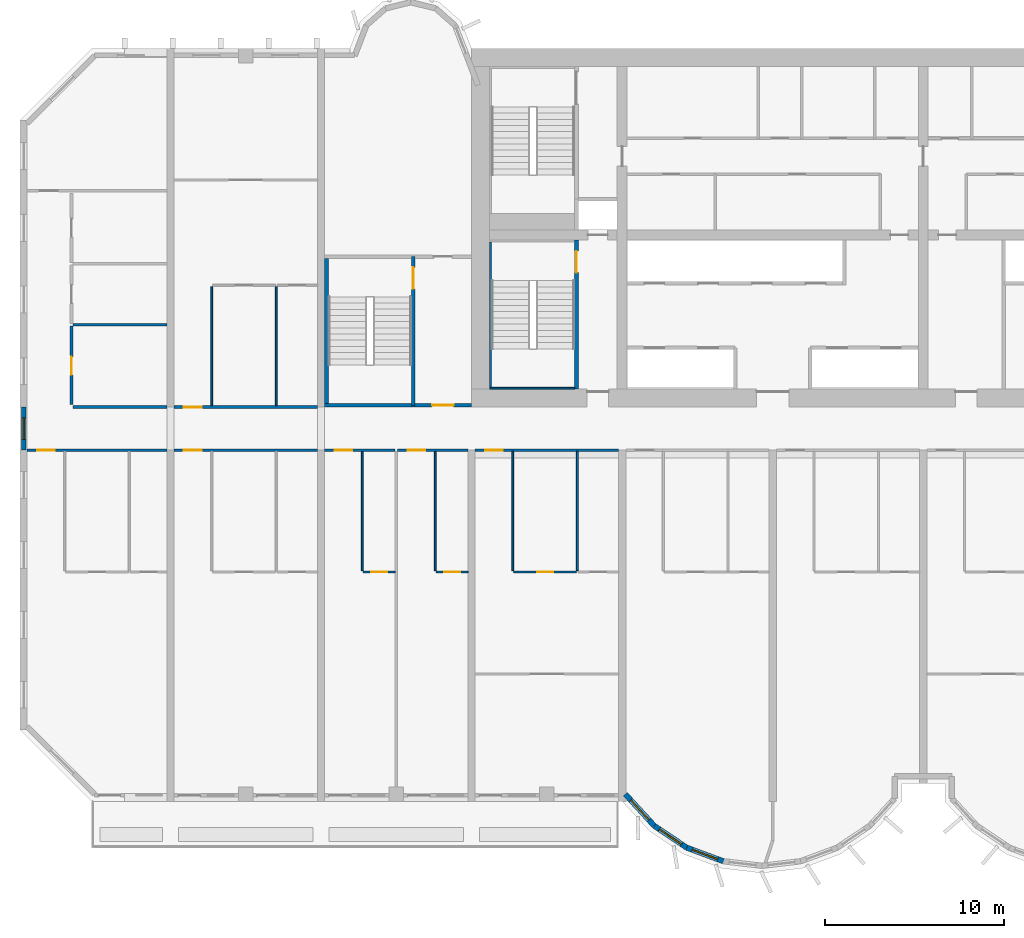
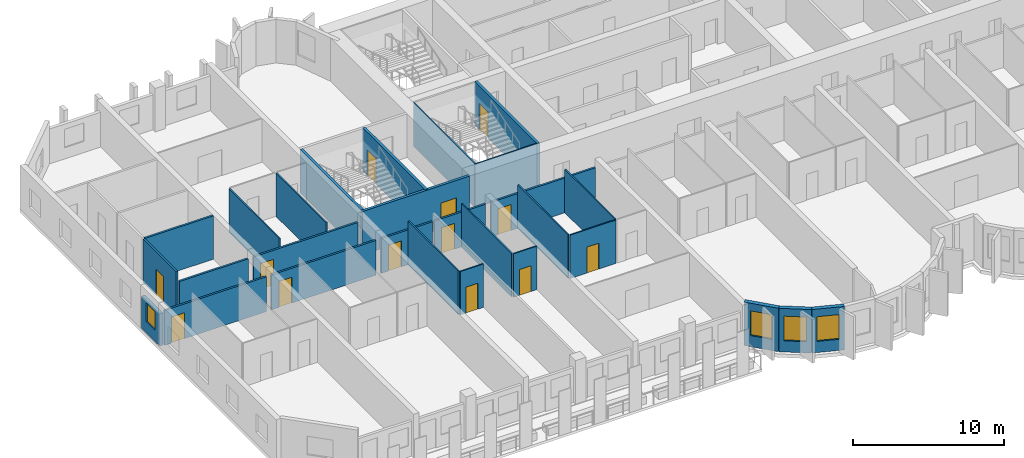
# One storey, part 3 of 15: 28 walls, 13 doors, 4 windows, 17 openings.
"""IFC4 building model written with IfcOpenShell, lengths in metres."""

from ifc_helpers import new_model, si_unit, direction, frame, frame_2d, origin, place, context, subcontext, project, spatial, rectangle, extrude, source, transform, mapped, material, layer, layer_set, type_object, element, fill, save


model = new_model("IFC4")

# Units and contexts
model_context = context("Model", 3, precision=1e-05, world=origin(), true_north=direction((0.0, 1.0)))
body_context = subcontext(model_context, "Body", "Model", "MODEL_VIEW")
ifc_project = project(units=[si_unit("LENGTHUNIT", "METRE"), si_unit("AREAUNIT", "SQUARE_METRE"), si_unit("VOLUMEUNIT", "CUBIC_METRE"), si_unit("PLANEANGLEUNIT", "RADIAN"), si_unit("MASSUNIT", "GRAM", prefix="KILO")], contexts=[model_context])

# Site, building, storey
site_placement = place(None, origin())
site = spatial("IfcSite", under=ifc_project, at=site_placement, CompositionType="ELEMENT")
building_placement = place(site_placement, origin())
building = spatial("IfcBuilding", under=site, at=building_placement, Name="Vanashikhar Sky Hotel", CompositionType="ELEMENT")
storey_placement = place(building_placement, frame((0.0, 0.0, 62.0)))
storey = spatial("IfcBuildingStorey", under=building, at=storey_placement, Name="L14", CompositionType="ELEMENT", Elevation=62.0)

# Wall, opening, window
ifc_material_1 = material(Name="Concrete M50", Category="concrete")
ifc_layer_1 = layer(ifc_material_1, 0.300048828125)
ifc_layer_set_1 = layer_set([ifc_layer_1], Name="Lobe wall 300")
wall_type_1 = type_object("IfcWallType", Name="Lobe wall 300", PredefinedType="SOLIDWALL", material=ifc_layer_set_1)
shared_shape_1 = source(origin(), body_context, "Body", "SweptSolid", [
    extrude(rectangle(XDim=2.398193359375, YDim=0.300048828125, at=frame_2d((1.19921875, 0.0))), origin(), (0.0, 0.0, 1.0), 3.52001953125),
])
wall_1_placement = place(storey_placement, frame((33.776123046875, 0.39990234375, 0.0), z_axis=(0.0, 0.0, 1.0), x_axis=(0.675374189419, -0.737475222815, 0.0)))
wall_1 = element("IfcWall", 1, at=wall_1_placement, inside=storey, type_object=wall_type_1, Name="Lobe wall", PredefinedType="SOLIDWALL", context=body_context, shape_type="MappedRepresentation", body=[
    mapped(shared_shape_1, transform((0.0, 0.0, 0.0), scale=1.0)),
])
shared_shape_2 = source(origin(), body_context, "Body", "SweptSolid", [
    extrude(rectangle(XDim=1.5, YDim=2.0, at=frame_2d((0.75, 1.0))), frame((0.0, 0.16015625, 0.0), z_axis=(0.0, -1.0, 0.0), x_axis=(1.0, 0.0, 0.0)), (0.0, 0.0, 1.0), 0.320068359375),
])
opening_1_placement = place(wall_1_placement, frame((0.44921875, 0.0, 0.89990234375)))
opening_1 = element("IfcOpeningElement", 2, at=opening_1_placement, cuts=wall_1, Name="Opening WN-2", PredefinedType="OPENING", context=body_context, shape_type="MappedRepresentation", body=[
    mapped(shared_shape_2, transform((0.0, 0.0, 0.0), scale=1.0)),
])
ifc_material_2 = material(Name="Glass", Category="glass")
window_type_1 = type_object("IfcWindowType", Name="Lobe window 1500 x 2000", PartitioningType="SINGLE_PANEL", PredefinedType="WINDOW", material=ifc_material_2)
shared_shape_3 = source(origin(), body_context, "Body", "SweptSolid", [
    extrude(rectangle(XDim=1.5, YDim=2.0, at=frame_2d((0.75, 1.0))), frame((0.0, 0.030029296875, 0.0), z_axis=(0.0, -1.0, 0.0), x_axis=(1.0, 0.0, 0.0)), (0.0, 0.0, 1.0), 0.06005859375),
])
window_1_placement = place(opening_1_placement, origin())
window_1 = element("IfcWindow", 3, at=window_1_placement, inside=storey, type_object=window_type_1, Name="Window WN-2", OverallHeight=2.0, OverallWidth=1.5, PartitioningType="SINGLE_PANEL", PredefinedType="WINDOW", context=body_context, shape_type="MappedRepresentation", body=[
    mapped(shared_shape_3, transform((0.0, 0.0, 0.0), scale=1.0)),
])
fill(opening_1, window_1)

shared_shape_4 = source(origin(), body_context, "Body", "SweptSolid", [
    extrude(rectangle(XDim=2.17578125, YDim=0.300048828125, at=frame_2d((1.087890625, 0.0))), origin(), (0.0, 0.0, 1.0), 3.52001953125),
])
wall_2_placement = place(storey_placement, frame((35.395751953125, -1.36865234375, 0.0), z_axis=(0.0, 0.0, 1.0), x_axis=(0.829590746428, -0.558371913192, 0.0)))
wall_2 = element("IfcWall", 4, at=wall_2_placement, inside=storey, type_object=wall_type_1, Name="Lobe wall", PredefinedType="SOLIDWALL", context=body_context, shape_type="MappedRepresentation", body=[
    mapped(shared_shape_4, transform((0.0, 0.0, 0.0), scale=1.0)),
])
opening_2_placement = place(wall_2_placement, frame((0.337890625, 0.0, 0.89990234375)))
opening_2 = element("IfcOpeningElement", 5, at=opening_2_placement, cuts=wall_2, Name="Opening WN-2", PredefinedType="OPENING", context=body_context, shape_type="MappedRepresentation", body=[
    mapped(shared_shape_2, transform((0.0, 0.0, 0.0), scale=1.0)),
])
window_2_placement = place(opening_2_placement, origin())
window_2 = element("IfcWindow", 6, at=window_2_placement, inside=storey, type_object=window_type_1, Name="Window WN-2", OverallHeight=2.0, OverallWidth=1.5, PartitioningType="SINGLE_PANEL", PredefinedType="WINDOW", context=body_context, shape_type="MappedRepresentation", body=[
    mapped(shared_shape_3, transform((0.0, 0.0, 0.0), scale=1.0)),
])
fill(opening_2, window_2)

wall_3_placement = place(storey_placement, frame((37.20068359375, -2.58349609375, 0.0), z_axis=(0.0, 0.0, 1.0), x_axis=(0.93754555999, -0.347862505801, 0.0)))
wall_3 = element("IfcWall", 7, at=wall_3_placement, inside=storey, type_object=wall_type_1, Name="Lobe wall", PredefinedType="SOLIDWALL", context=body_context, shape_type="MappedRepresentation", body=[
    mapped(shared_shape_4, transform((0.0, 0.0, 0.0), scale=1.0)),
])
opening_3_placement = place(wall_3_placement, frame((0.337890625, 0.0, 0.89990234375)))
opening_3 = element("IfcOpeningElement", 8, at=opening_3_placement, cuts=wall_3, Name="Opening WN-2", PredefinedType="OPENING", context=body_context, shape_type="MappedRepresentation", body=[
    mapped(shared_shape_2, transform((0.0, 0.0, 0.0), scale=1.0)),
])
window_3_placement = place(opening_3_placement, origin())
window_3 = element("IfcWindow", 9, at=window_3_placement, inside=storey, type_object=window_type_1, Name="Window WN-2", OverallHeight=2.0, OverallWidth=1.5, PartitioningType="SINGLE_PANEL", PredefinedType="WINDOW", context=body_context, shape_type="MappedRepresentation", body=[
    mapped(shared_shape_3, transform((0.0, 0.0, 0.0), scale=1.0)),
])
fill(opening_3, window_3)

ifc_layer_2 = layer(ifc_material_1, 0.25)
ifc_layer_set_2 = layer_set([ifc_layer_2], Name="Rear and end board-marked wall 250")
wall_type_2 = type_object("IfcWallType", Name="Rear and end board-marked wall 250", PredefinedType="SOLIDWALL", material=ifc_layer_set_2)
shared_shape_5 = source(origin(), body_context, "Body", "SweptSolid", [
    extrude(rectangle(XDim=2.39990234375, YDim=0.25, at=frame_2d((1.199951171875, 0.0))), origin(), (0.0, 0.0, 1.0), 2.6201171875),
])
wall_4_placement = place(storey_placement, frame((0.199951171875, 19.60009765625, 0.0), z_axis=(0.0, 0.0, 1.0), x_axis=(0.0, 1.0, 0.0)))
wall_4 = element("IfcWall", 10, at=wall_4_placement, inside=storey, type_object=wall_type_2, Name="End corridor infill wall", PredefinedType="SOLIDWALL", context=body_context, shape_type="MappedRepresentation", body=[
    mapped(shared_shape_5, transform((0.0, 0.0, 0.0), scale=1.0)),
])
shared_shape_6 = source(origin(), body_context, "Body", "SweptSolid", [
    extrude(rectangle(XDim=1.199951171875, YDim=1.5, at=frame_2d((0.60009765625, 0.75))), frame((0.0, 0.135009765625, 0.0), z_axis=(0.0, -1.0, 0.0), x_axis=(1.0, 0.0, 0.0)), (0.0, 0.0, 1.0), 0.27001953125),
])
opening_4_placement = place(wall_4_placement, frame((0.60009765625, 0.0, 0.89990234375)))
opening_4 = element("IfcOpeningElement", 11, at=opening_4_placement, cuts=wall_4, Name="Opening WN-3", PredefinedType="OPENING", context=body_context, shape_type="MappedRepresentation", body=[
    mapped(shared_shape_6, transform((0.0, 0.0, 0.0), scale=1.0)),
])
window_type_2 = type_object("IfcWindowType", Name="Corridor end window 1200 x 1500", PartitioningType="SINGLE_PANEL", PredefinedType="WINDOW", material=ifc_material_2)
shared_shape_7 = source(origin(), body_context, "Body", "SweptSolid", [
    extrude(rectangle(XDim=1.199951171875, YDim=1.5, at=frame_2d((0.60009765625, 0.75))), frame((0.0, 0.030029296875, 0.0), z_axis=(0.0, -1.0, 0.0), x_axis=(1.0, 0.0, 0.0)), (0.0, 0.0, 1.0), 0.06005859375),
])
window_4_placement = place(opening_4_placement, origin())
window_4 = element("IfcWindow", 12, at=window_4_placement, inside=storey, type_object=window_type_2, Name="Window WN-3", OverallHeight=1.5, OverallWidth=1.199951171875, PartitioningType="SINGLE_PANEL", PredefinedType="WINDOW", context=body_context, shape_type="MappedRepresentation", body=[
    mapped(shared_shape_7, transform((0.0, 0.0, 0.0), scale=1.0)),
])
fill(opening_4, window_4)

# Wall, opening, door
ifc_layer_3 = layer(ifc_material_1, 0.199951171875)
ifc_layer_set_3 = layer_set([ifc_layer_3], Name="Stair wall 200")
wall_type_3 = type_object("IfcWallType", Name="Stair wall 200", PredefinedType="SOLIDWALL", material=ifc_layer_set_3)
shared_shape_8 = source(origin(), body_context, "Body", "SweptSolid", [
    extrude(rectangle(XDim=8.199951171875, YDim=0.199951171875, at=frame_2d((4.10009765625, 0.0))), origin(), (0.0, 0.0, 1.0), 3.52001953125),
])
wall_5_placement = place(storey_placement, frame((17.0, 22.10009765625, 0.0), z_axis=(0.0, 0.0, 1.0), x_axis=(1.0, 0.0, 0.0)))
wall_5 = element("IfcWall", 13, at=wall_5_placement, inside=storey, type_object=wall_type_3, Name="Stair wall 200", PredefinedType="SOLIDWALL", context=body_context, shape_type="MappedRepresentation", body=[
    mapped(shared_shape_8, transform((0.0, 0.0, 0.0), scale=1.0)),
])
shared_shape_9 = source(origin(), body_context, "Body", "SweptSolid", [
    extrude(rectangle(XDim=1.199951171875, YDim=2.10009765625, at=frame_2d((0.60009765625, 1.050048828125))), frame((0.0, 0.10986328125, 0.0), z_axis=(0.0, -1.0, 0.0), x_axis=(1.0, 0.0, 0.0)), (0.0, 0.0, 1.0), 0.219970703125),
])
opening_5_placement = place(wall_5_placement, frame((6.0, 0.0, 0.0)))
opening_5 = element("IfcOpeningElement", 14, at=opening_5_placement, cuts=wall_5, Name="Opening DC-2", PredefinedType="OPENING", context=body_context, shape_type="MappedRepresentation", body=[
    mapped(shared_shape_9, transform((0.0, 0.0, 0.0), scale=1.0)),
])
ifc_material_3 = material(Name="Steel", Category="steel")
door_type_1 = type_object("IfcDoorType", Name="Firefighting lobby door 1200 FD120", OperationType="NOTDEFINED", PredefinedType="DOOR", material=ifc_material_3)
shared_shape_10 = source(origin(), body_context, "Body", "SweptSolid", [
    extrude(rectangle(XDim=1.199951171875, YDim=2.10009765625, at=frame_2d((0.60009765625, 1.050048828125))), frame((0.0, 0.02490234375, 0.0), z_axis=(0.0, -1.0, 0.0), x_axis=(1.0, 0.0, 0.0)), (0.0, 0.0, 1.0), 0.050048828125),
])
door_1_placement = place(opening_5_placement, origin())
door_1 = element("IfcDoor", 15, at=door_1_placement, inside=storey, type_object=door_type_1, Name="Firefighting lobby door 1200 FD120", OperationType="SINGLE_SWING_LEFT", OverallHeight=2.10009765625, OverallWidth=1.199951171875, PredefinedType="DOOR", context=body_context, shape_type="MappedRepresentation", body=[
    mapped(shared_shape_10, transform((0.0, 0.0, 0.0), scale=1.0)),
])
fill(opening_5, door_1)

shared_shape_11 = source(origin(), body_context, "Body", "SweptSolid", [
    extrude(rectangle(XDim=8.2998046875, YDim=0.199951171875, at=frame_2d((4.14990234375, 0.0))), origin(), (0.0, 0.0, 1.0), 3.52001953125),
])
wall_6_placement = place(storey_placement, frame((21.949951171875, 22.10009765625, 0.0), z_axis=(0.0, 0.0, 1.0), x_axis=(0.0, 1.0, 0.0)))
wall_6 = element("IfcWall", 16, at=wall_6_placement, inside=storey, type_object=wall_type_3, Name="Stair wall 200", PredefinedType="SOLIDWALL", context=body_context, shape_type="MappedRepresentation", body=[
    mapped(shared_shape_11, transform((0.0, 0.0, 0.0), scale=1.0)),
])
opening_6_placement = place(wall_6_placement, frame((6.5, 0.0, 0.0)))
opening_6 = element("IfcOpeningElement", 17, at=opening_6_placement, cuts=wall_6, Name="Opening DC-1", PredefinedType="OPENING", context=body_context, shape_type="MappedRepresentation", body=[
    mapped(shared_shape_9, transform((0.0, 0.0, 0.0), scale=1.0)),
])
door_type_2 = type_object("IfcDoorType", Name="Stair door 1200 FD120", OperationType="NOTDEFINED", PredefinedType="DOOR", material=ifc_material_3)
door_2_placement = place(opening_6_placement, origin())
door_2 = element("IfcDoor", 18, at=door_2_placement, inside=storey, type_object=door_type_2, Name="Stair door 1200 FD120", OperationType="SINGLE_SWING_LEFT", OverallHeight=2.10009765625, OverallWidth=1.199951171875, PredefinedType="DOOR", context=body_context, shape_type="MappedRepresentation", body=[
    mapped(shared_shape_10, transform((0.0, 0.0, 0.0), scale=1.0)),
])
fill(opening_6, door_2)

# Walls
ifc_layer_4 = layer(ifc_material_1, 0.10009765625)
ifc_layer_set_4 = layer_set([ifc_layer_4], Name="Stair infill wall 100")
wall_type_4 = type_object("IfcWallType", Name="Stair infill wall 100", PredefinedType="SOLIDWALL", material=ifc_layer_set_4)
shared_shape_12 = source(origin(), body_context, "Body", "SweptSolid", [
    extrude(rectangle(XDim=4.75, YDim=0.10009765625, at=frame_2d((2.375, 0.0))), origin(), (0.0, 0.0, 1.0), 3.52001953125),
])
wall_7_placement = place(storey_placement, frame((26.199951171875, 23.050048828125, 0.0), z_axis=(0.0, 0.0, 1.0), x_axis=(1.0, 0.0, 0.0)))
element("IfcWall", 19, at=wall_7_placement, inside=storey, type_object=wall_type_4, Name="Stair infill wall 100", PredefinedType="SOLIDWALL", context=body_context, shape_type="MappedRepresentation", body=[
    mapped(shared_shape_12, transform((0.0, 0.0, 0.0), scale=1.0)),
])
shared_shape_13 = source(origin(), body_context, "Body", "SweptSolid", [
    extrude(rectangle(XDim=8.099853515625, YDim=0.10009765625, at=frame_2d((4.0498046875, 0.0))), origin(), (0.0, 0.0, 1.0), 3.52001953125),
])
wall_8_placement = place(storey_placement, frame((26.25, 23.10009765625, 0.0), z_axis=(0.0, 0.0, 1.0), x_axis=(0.0, 1.0, 0.0)))
element("IfcWall", 20, at=wall_8_placement, inside=storey, type_object=wall_type_4, Name="Stair infill wall 100", PredefinedType="SOLIDWALL", context=body_context, shape_type="MappedRepresentation", body=[
    mapped(shared_shape_13, transform((0.0, 0.0, 0.0), scale=1.0)),
])

# Wall, opening, door
shared_shape_14 = source(origin(), body_context, "Body", "SweptSolid", [
    extrude(rectangle(XDim=8.324951171875, YDim=0.199951171875, at=frame_2d((4.16259765625, 0.0))), origin(), (0.0, 0.0, 1.0), 3.52001953125),
])
wall_9_placement = place(storey_placement, frame((31.050048828125, 23.0, 0.0), z_axis=(0.0, 0.0, 1.0), x_axis=(0.0, 1.0, 0.0)))
wall_9 = element("IfcWall", 21, at=wall_9_placement, inside=storey, type_object=wall_type_3, Name="Stair wall 200", PredefinedType="SOLIDWALL", context=body_context, shape_type="MappedRepresentation", body=[
    mapped(shared_shape_14, transform((0.0, 0.0, 0.0), scale=1.0)),
])
opening_7_placement = place(wall_9_placement, frame((6.5, 0.0, 0.0)))
opening_7 = element("IfcOpeningElement", 22, at=opening_7_placement, cuts=wall_9, Name="Opening DC-1", PredefinedType="OPENING", context=body_context, shape_type="MappedRepresentation", body=[
    mapped(shared_shape_9, transform((0.0, 0.0, 0.0), scale=1.0)),
])
door_3_placement = place(opening_7_placement, origin())
door_3 = element("IfcDoor", 23, at=door_3_placement, inside=storey, type_object=door_type_2, Name="Stair door 1200 FD120", OperationType="SINGLE_SWING_LEFT", OverallHeight=2.10009765625, OverallWidth=1.199951171875, PredefinedType="DOOR", context=body_context, shape_type="MappedRepresentation", body=[
    mapped(shared_shape_10, transform((0.0, 0.0, 0.0), scale=1.0)),
])
fill(opening_7, door_3)

# Wall
ifc_layer_5 = layer(ifc_material_1, 0.199951171875)
ifc_layer_set_5 = layer_set([ifc_layer_5], Name="Stair infill wall 200")
wall_type_5 = type_object("IfcWallType", Name="Stair infill wall 200", PredefinedType="SOLIDWALL", material=ifc_layer_set_5)
shared_shape_15 = source(origin(), body_context, "Body", "SweptSolid", [
    extrude(rectangle(XDim=8.10009765625, YDim=0.199951171875, at=frame_2d((4.050048828125, 0.0))), origin(), (0.0, 0.0, 1.0), 3.52001953125),
])
wall_10_placement = place(storey_placement, frame((17.10009765625, 22.199951171875, 0.0), z_axis=(0.0, 0.0, 1.0), x_axis=(0.0, 1.0, 0.0)))
element("IfcWall", 24, at=wall_10_placement, inside=storey, type_object=wall_type_5, Name="Stair infill wall 200", PredefinedType="SOLIDWALL", context=body_context, shape_type="MappedRepresentation", body=[
    mapped(shared_shape_15, transform((0.0, 0.0, 0.0), scale=1.0)),
])

# Wall, opening, door
ifc_material_4 = material(Name="Gypsum plasterboard partition")
ifc_layer_6 = layer(ifc_material_4, 0.14990234375)
ifc_layer_set_6 = layer_set([ifc_layer_6], Name="Corridor and demising partition 150")
wall_type_6 = type_object("IfcWallType", Name="Corridor and demising partition 150", PredefinedType="PARTITIONING", material=ifc_layer_set_6)
shared_shape_16 = source(origin(), body_context, "Body", "SweptSolid", [
    extrude(rectangle(XDim=4.375, YDim=0.14990234375, at=frame_2d((2.1875, 0.0))), origin(), (0.0, 0.0, 1.0), 3.52001953125),
])
wall_11_placement = place(storey_placement, frame((2.875, 22.14990234375, 0.0), z_axis=(0.0, 0.0, 1.0), x_axis=(0.0, 1.0, 0.0)))
wall_11 = element("IfcWall", 25, at=wall_11_placement, inside=storey, type_object=wall_type_6, Name="W-L14-PW071", PredefinedType="PARTITIONING", context=body_context, shape_type="MappedRepresentation", body=[
    mapped(shared_shape_16, transform((0.0, 0.0, 0.0), scale=1.0)),
])
shared_shape_17 = source(origin(), body_context, "Body", "SweptSolid", [
    extrude(rectangle(XDim=1.0, YDim=2.10009765625, at=frame_2d((0.5, 1.050048828125))), frame((0.0, 0.0849609375, 0.0), z_axis=(0.0, -1.0, 0.0), x_axis=(1.0, 0.0, 0.0)), (0.0, 0.0, 1.0), 0.169921875),
])
opening_8_placement = place(wall_11_placement, frame((1.64990234375, 0.0, 0.0)))
opening_8 = element("IfcOpeningElement", 26, at=opening_8_placement, cuts=wall_11, Name="Opening D-01", PredefinedType="OPENING", context=body_context, shape_type="MappedRepresentation", body=[
    mapped(shared_shape_17, transform((0.0, 0.0, 0.0), scale=1.0)),
])
ifc_material_5 = material(Name="Timber fire door", Category="wood")
door_type_3 = type_object("IfcDoorType", Name="Guest entry door 1000 FD30S", OperationType="NOTDEFINED", PredefinedType="DOOR", material=ifc_material_5)
shared_shape_18 = source(origin(), body_context, "Body", "SweptSolid", [
    extrude(rectangle(XDim=1.0, YDim=2.10009765625, at=frame_2d((0.5, 1.050048828125))), frame((0.0, 0.02490234375, 0.0), z_axis=(0.0, -1.0, 0.0), x_axis=(1.0, 0.0, 0.0)), (0.0, 0.0, 1.0), 0.050048828125),
])
door_4_placement = place(opening_8_placement, origin())
door_4 = element("IfcDoor", 27, at=door_4_placement, inside=storey, type_object=door_type_3, Name="D-L14-043", OperationType="SINGLE_SWING_LEFT", OverallHeight=2.10009765625, OverallWidth=1.0, PredefinedType="DOOR", context=body_context, shape_type="MappedRepresentation", body=[
    mapped(shared_shape_18, transform((0.0, 0.0, 0.0), scale=1.0)),
])
fill(opening_8, door_4)

ifc_layer_7 = layer(ifc_material_4, 0.10009765625)
ifc_layer_set_7 = layer_set([ifc_layer_7], Name="Wet room partition 100")
wall_type_7 = type_object("IfcWallType", Name="Wet room partition 100", PredefinedType="PARTITIONING", material=ifc_layer_set_7)
shared_shape_19 = source(origin(), body_context, "Body", "SweptSolid", [
    extrude(rectangle(XDim=3.5, YDim=0.10009765625, at=frame_2d((1.75, 0.0))), origin(), (0.0, 0.0, 1.0), 3.52001953125),
])
wall_12_placement = place(storey_placement, frame((27.550048828125, 12.800048828125, 0.0), z_axis=(0.0, 0.0, 1.0), x_axis=(1.0, 0.0, 0.0)))
wall_12 = element("IfcWall", 28, at=wall_12_placement, inside=storey, type_object=wall_type_7, Name="W-L14-PW020", PredefinedType="PARTITIONING", context=body_context, shape_type="MappedRepresentation", body=[
    mapped(shared_shape_19, transform((0.0, 0.0, 0.0), scale=1.0)),
])
shared_shape_20 = source(origin(), body_context, "Body", "SweptSolid", [
    extrude(rectangle(XDim=0.89990234375, YDim=2.10009765625, at=frame_2d((0.449951171875, 1.050048828125))), frame((0.0, 0.06005859375, 0.0), z_axis=(0.0, -1.0, 0.0), x_axis=(1.0, 0.0, 0.0)), (0.0, 0.0, 1.0), 0.1201171875),
])
opening_9_placement = place(wall_12_placement, frame((1.300048828125, 0.0, 0.0)))
opening_9 = element("IfcOpeningElement", 29, at=opening_9_placement, cuts=wall_12, Name="Opening D-02", PredefinedType="OPENING", context=body_context, shape_type="MappedRepresentation", body=[
    mapped(shared_shape_20, transform((0.0, 0.0, 0.0), scale=1.0)),
])
ifc_material_6 = material(Name="Timber door", Category="wood")
door_type_4 = type_object("IfcDoorType", Name="Internal door 900", OperationType="NOTDEFINED", PredefinedType="DOOR", material=ifc_material_6)
shared_shape_21 = source(origin(), body_context, "Body", "SweptSolid", [
    extrude(rectangle(XDim=0.89990234375, YDim=2.10009765625, at=frame_2d((0.449951171875, 1.050048828125))), frame((0.0, 0.02490234375, 0.0), z_axis=(0.0, -1.0, 0.0), x_axis=(1.0, 0.0, 0.0)), (0.0, 0.0, 1.0), 0.050048828125),
])
door_5_placement = place(opening_9_placement, origin())
door_5 = element("IfcDoor", 30, at=door_5_placement, inside=storey, type_object=door_type_4, Name="D-L14-011", OperationType="SINGLE_SWING_LEFT", OverallHeight=2.10009765625, OverallWidth=0.89990234375, PredefinedType="DOOR", context=body_context, shape_type="MappedRepresentation", body=[
    mapped(shared_shape_21, transform((0.0, 0.0, 0.0), scale=1.0)),
])
fill(opening_9, door_5)

shared_shape_22 = source(origin(), body_context, "Body", "SweptSolid", [
    extrude(rectangle(XDim=7.800048828125, YDim=0.14990234375, at=frame_2d((3.89990234375, 0.0))), origin(), (0.0, 0.0, 1.0), 2.820068359375),
])
wall_13_placement = place(storey_placement, frame((0.39990234375, 19.60009765625, 0.0), z_axis=(0.0, 0.0, 1.0), x_axis=(1.0, 0.0, 0.0)))
wall_13 = element("IfcWall", 31, at=wall_13_placement, inside=storey, type_object=wall_type_6, Name="W-L14-PW005", PredefinedType="PARTITIONING", context=body_context, shape_type="MappedRepresentation", body=[
    mapped(shared_shape_22, transform((0.0, 0.0, 0.0), scale=1.0)),
])
opening_10_placement = place(wall_13_placement, frame((0.550048828125, 0.0, 0.0)))
opening_10 = element("IfcOpeningElement", 32, at=opening_10_placement, cuts=wall_13, Name="Opening D-01", PredefinedType="OPENING", context=body_context, shape_type="MappedRepresentation", body=[
    mapped(shared_shape_17, transform((0.0, 0.0, 0.0), scale=1.0)),
])
door_6_placement = place(opening_10_placement, origin())
door_6 = element("IfcDoor", 33, at=door_6_placement, inside=storey, type_object=door_type_3, Name="D-L14-003", OperationType="SINGLE_SWING_LEFT", OverallHeight=2.10009765625, OverallWidth=1.0, PredefinedType="DOOR", context=body_context, shape_type="MappedRepresentation", body=[
    mapped(shared_shape_18, transform((0.0, 0.0, 0.0), scale=1.0)),
])
fill(opening_10, door_6)

shared_shape_23 = source(origin(), body_context, "Body", "SweptSolid", [
    extrude(rectangle(XDim=3.925048828125, YDim=0.14990234375, at=frame_2d((1.96240234375, 0.0))), origin(), (0.0, 0.0, 1.0), 2.820068359375),
])
wall_14_placement = place(storey_placement, frame((17.0, 19.60009765625, 0.0), z_axis=(0.0, 0.0, 1.0), x_axis=(1.0, 0.0, 0.0)))
wall_14 = element("IfcWall", 34, at=wall_14_placement, inside=storey, type_object=wall_type_6, Name="W-L14-PW013", PredefinedType="PARTITIONING", context=body_context, shape_type="MappedRepresentation", body=[
    mapped(shared_shape_23, transform((0.0, 0.0, 0.0), scale=1.0)),
])
opening_11_placement = place(wall_14_placement, frame((0.550048828125, 0.0, 0.0)))
opening_11 = element("IfcOpeningElement", 35, at=opening_11_placement, cuts=wall_14, Name="Opening D-01", PredefinedType="OPENING", context=body_context, shape_type="MappedRepresentation", body=[
    mapped(shared_shape_17, transform((0.0, 0.0, 0.0), scale=1.0)),
])
door_7_placement = place(opening_11_placement, origin())
door_7 = element("IfcDoor", 36, at=door_7_placement, inside=storey, type_object=door_type_3, Name="D-L14-008", OperationType="SINGLE_SWING_LEFT", OverallHeight=2.10009765625, OverallWidth=1.0, PredefinedType="DOOR", context=body_context, shape_type="MappedRepresentation", body=[
    mapped(shared_shape_18, transform((0.0, 0.0, 0.0), scale=1.0)),
])
fill(opening_11, door_7)

wall_15_placement = place(storey_placement, frame((21.074951171875, 19.60009765625, 0.0), z_axis=(0.0, 0.0, 1.0), x_axis=(1.0, 0.0, 0.0)))
wall_15 = element("IfcWall", 37, at=wall_15_placement, inside=storey, type_object=wall_type_6, Name="W-L14-PW016", PredefinedType="PARTITIONING", context=body_context, shape_type="MappedRepresentation", body=[
    mapped(shared_shape_23, transform((0.0, 0.0, 0.0), scale=1.0)),
])
opening_12_placement = place(wall_15_placement, frame((0.550048828125, 0.0, 0.0)))
opening_12 = element("IfcOpeningElement", 38, at=opening_12_placement, cuts=wall_15, Name="Opening D-01", PredefinedType="OPENING", context=body_context, shape_type="MappedRepresentation", body=[
    mapped(shared_shape_17, transform((0.0, 0.0, 0.0), scale=1.0)),
])
door_8_placement = place(opening_12_placement, origin())
door_8 = element("IfcDoor", 39, at=door_8_placement, inside=storey, type_object=door_type_3, Name="D-L14-010", OperationType="SINGLE_SWING_LEFT", OverallHeight=2.10009765625, OverallWidth=1.0, PredefinedType="DOOR", context=body_context, shape_type="MappedRepresentation", body=[
    mapped(shared_shape_18, transform((0.0, 0.0, 0.0), scale=1.0)),
])
fill(opening_12, door_8)

shared_shape_24 = source(origin(), body_context, "Body", "SweptSolid", [
    extrude(rectangle(XDim=8.0, YDim=0.14990234375, at=frame_2d((4.0, 0.0))), origin(), (0.0, 0.0, 1.0), 2.820068359375),
])
wall_16_placement = place(storey_placement, frame((8.60009765625, 19.60009765625, 0.0), z_axis=(0.0, 0.0, 1.0), x_axis=(1.0, 0.0, 0.0)))
wall_16 = element("IfcWall", 40, at=wall_16_placement, inside=storey, type_object=wall_type_6, Name="W-L14-PW010", PredefinedType="PARTITIONING", context=body_context, shape_type="MappedRepresentation", body=[
    mapped(shared_shape_24, transform((0.0, 0.0, 0.0), scale=1.0)),
])
opening_13_placement = place(wall_16_placement, frame((0.550048828125, 0.0, 0.0)))
opening_13 = element("IfcOpeningElement", 41, at=opening_13_placement, cuts=wall_16, Name="Opening D-01", PredefinedType="OPENING", context=body_context, shape_type="MappedRepresentation", body=[
    mapped(shared_shape_17, transform((0.0, 0.0, 0.0), scale=1.0)),
])
door_9_placement = place(opening_13_placement, origin())
door_9 = element("IfcDoor", 42, at=door_9_placement, inside=storey, type_object=door_type_3, Name="D-L14-006", OperationType="SINGLE_SWING_LEFT", OverallHeight=2.10009765625, OverallWidth=1.0, PredefinedType="DOOR", context=body_context, shape_type="MappedRepresentation", body=[
    mapped(shared_shape_18, transform((0.0, 0.0, 0.0), scale=1.0)),
])
fill(opening_13, door_9)

wall_17_placement = place(storey_placement, frame((25.39990234375, 19.60009765625, 0.0), z_axis=(0.0, 0.0, 1.0), x_axis=(1.0, 0.0, 0.0)))
wall_17 = element("IfcWall", 43, at=wall_17_placement, inside=storey, type_object=wall_type_6, Name="W-L14-PW023", PredefinedType="PARTITIONING", context=body_context, shape_type="MappedRepresentation", body=[
    mapped(shared_shape_24, transform((0.0, 0.0, 0.0), scale=1.0)),
])
opening_14_placement = place(wall_17_placement, frame((0.550048828125, 0.0, 0.0)))
opening_14 = element("IfcOpeningElement", 44, at=opening_14_placement, cuts=wall_17, Name="Opening D-01", PredefinedType="OPENING", context=body_context, shape_type="MappedRepresentation", body=[
    mapped(shared_shape_17, transform((0.0, 0.0, 0.0), scale=1.0)),
])
door_10_placement = place(opening_14_placement, origin())
door_10 = element("IfcDoor", 45, at=door_10_placement, inside=storey, type_object=door_type_3, Name="D-L14-014", OperationType="SINGLE_SWING_LEFT", OverallHeight=2.10009765625, OverallWidth=1.0, PredefinedType="DOOR", context=body_context, shape_type="MappedRepresentation", body=[
    mapped(shared_shape_18, transform((0.0, 0.0, 0.0), scale=1.0)),
])
fill(opening_14, door_10)

wall_18_placement = place(storey_placement, frame((8.60009765625, 22.0, 0.0), z_axis=(0.0, 0.0, 1.0), x_axis=(1.0, 0.0, 0.0)))
wall_18 = element("IfcWall", 46, at=wall_18_placement, inside=storey, type_object=wall_type_6, Name="W-L14-PW082", PredefinedType="PARTITIONING", context=body_context, shape_type="MappedRepresentation", body=[
    mapped(shared_shape_24, transform((0.0, 0.0, 0.0), scale=1.0)),
])
opening_15_placement = place(wall_18_placement, frame((0.550048828125, 0.0, 0.0)))
opening_15 = element("IfcOpeningElement", 47, at=opening_15_placement, cuts=wall_18, Name="Opening D-01", PredefinedType="OPENING", context=body_context, shape_type="MappedRepresentation", body=[
    mapped(shared_shape_17, transform((0.0, 0.0, 0.0), scale=1.0)),
])
door_11_placement = place(opening_15_placement, origin())
door_11 = element("IfcDoor", 48, at=door_11_placement, inside=storey, type_object=door_type_3, Name="D-L14-050", OperationType="SINGLE_SWING_LEFT", OverallHeight=2.10009765625, OverallWidth=1.0, PredefinedType="DOOR", context=body_context, shape_type="MappedRepresentation", body=[
    mapped(shared_shape_18, transform((0.0, 0.0, 0.0), scale=1.0)),
])
fill(opening_15, door_11)

# Walls
shared_shape_25 = source(origin(), body_context, "Body", "SweptSolid", [
    extrude(rectangle(XDim=5.25, YDim=0.14990234375, at=frame_2d((2.625, 0.0))), origin(), (0.0, 0.0, 1.0), 2.820068359375),
])
wall_19_placement = place(storey_placement, frame((2.949951171875, 22.0, 0.0), z_axis=(0.0, 0.0, 1.0), x_axis=(1.0, 0.0, 0.0)))
element("IfcWall", 49, at=wall_19_placement, inside=storey, type_object=wall_type_6, Name="W-L14-PW070", PredefinedType="PARTITIONING", context=body_context, shape_type="MappedRepresentation", body=[
    mapped(shared_shape_25, transform((0.0, 0.0, 0.0), scale=1.0)),
])
shared_shape_26 = source(origin(), body_context, "Body", "SweptSolid", [
    extrude(rectangle(XDim=5.25, YDim=0.14990234375, at=frame_2d((2.625, 0.0))), origin(), (0.0, 0.0, 1.0), 3.52001953125),
])
wall_20_placement = place(storey_placement, frame((2.949951171875, 26.60009765625, 0.0), z_axis=(0.0, 0.0, 1.0), x_axis=(1.0, 0.0, 0.0)))
element("IfcWall", 50, at=wall_20_placement, inside=storey, type_object=wall_type_6, Name="W-L14-PW072", PredefinedType="PARTITIONING", context=body_context, shape_type="MappedRepresentation", body=[
    mapped(shared_shape_26, transform((0.0, 0.0, 0.0), scale=1.0)),
])
shared_shape_27 = source(origin(), body_context, "Body", "SweptSolid", [
    extrude(rectangle(XDim=6.64990234375, YDim=0.10009765625, at=frame_2d((3.324951171875, 0.0))), origin(), (0.0, 0.0, 1.0), 3.52001953125),
])
for number, where, z_axis, x_axis, name in (
    (51, (19.10009765625, 12.875, 0.0), (0.0, 0.0, 1.0), (0.0, 1.0, 0.0), "W-L14-PW011"),
    (52, (23.175048828125, 12.875, 0.0), (0.0, 0.0, 1.0), (0.0, 1.0, 0.0), "W-L14-PW014"),
    (53, (27.5, 12.875, 0.0), (0.0, 0.0, 1.0), (0.0, 1.0, 0.0), "W-L14-PW018"),
    (54, (31.10009765625, 12.875, 0.0), (0.0, 0.0, 1.0), (0.0, 1.0, 0.0), "W-L14-PW019"),
):
    element("IfcWall", number, at=place(storey_placement, frame(where, z_axis=z_axis, x_axis=x_axis)), inside=storey, type_object=wall_type_7, Name=name, PredefinedType="PARTITIONING", context=body_context, shape_type="MappedRepresentation", body=[
        mapped(shared_shape_27, transform((0.0, 0.0, 0.0), scale=1.0)),
    ])

# Wall, opening, door
shared_shape_28 = source(origin(), body_context, "Body", "SweptSolid", [
    extrude(rectangle(XDim=1.775146484375, YDim=0.10009765625, at=frame_2d((0.8876953125, 0.0))), origin(), (0.0, 0.0, 1.0), 3.52001953125),
])
wall_21_placement = place(storey_placement, frame((19.14990234375, 12.800048828125, 0.0), z_axis=(0.0, 0.0, 1.0), x_axis=(1.0, 0.0, 0.0)))
wall_21 = element("IfcWall", 55, at=wall_21_placement, inside=storey, type_object=wall_type_7, Name="W-L14-PW012", PredefinedType="PARTITIONING", context=body_context, shape_type="MappedRepresentation", body=[
    mapped(shared_shape_28, transform((0.0, 0.0, 0.0), scale=1.0)),
])
opening_16_placement = place(wall_21_placement, frame((0.43798828125, 0.0, 0.0)))
opening_16 = element("IfcOpeningElement", 56, at=opening_16_placement, cuts=wall_21, Name="Opening D-02", PredefinedType="OPENING", context=body_context, shape_type="MappedRepresentation", body=[
    mapped(shared_shape_20, transform((0.0, 0.0, 0.0), scale=1.0)),
])
door_12_placement = place(opening_16_placement, origin())
door_12 = element("IfcDoor", 57, at=door_12_placement, inside=storey, type_object=door_type_4, Name="D-L14-007", OperationType="SINGLE_SWING_LEFT", OverallHeight=2.10009765625, OverallWidth=0.89990234375, PredefinedType="DOOR", context=body_context, shape_type="MappedRepresentation", body=[
    mapped(shared_shape_21, transform((0.0, 0.0, 0.0), scale=1.0)),
])
fill(opening_16, door_12)

shared_shape_29 = source(origin(), body_context, "Body", "SweptSolid", [
    extrude(rectangle(XDim=1.77490234375, YDim=0.10009765625, at=frame_2d((0.887451171875, 0.0))), origin(), (0.0, 0.0, 1.0), 3.52001953125),
])
wall_22_placement = place(storey_placement, frame((23.22509765625, 12.800048828125, 0.0), z_axis=(0.0, 0.0, 1.0), x_axis=(1.0, 0.0, 0.0)))
wall_22 = element("IfcWall", 58, at=wall_22_placement, inside=storey, type_object=wall_type_7, Name="W-L14-PW015", PredefinedType="PARTITIONING", context=body_context, shape_type="MappedRepresentation", body=[
    mapped(shared_shape_29, transform((0.0, 0.0, 0.0), scale=1.0)),
])
opening_17_placement = place(wall_22_placement, frame((0.43798828125, 0.0, 0.0)))
opening_17 = element("IfcOpeningElement", 59, at=opening_17_placement, cuts=wall_22, Name="Opening D-02", PredefinedType="OPENING", context=body_context, shape_type="MappedRepresentation", body=[
    mapped(shared_shape_20, transform((0.0, 0.0, 0.0), scale=1.0)),
])
door_13_placement = place(opening_17_placement, origin())
door_13 = element("IfcDoor", 60, at=door_13_placement, inside=storey, type_object=door_type_4, Name="D-L14-009", OperationType="SINGLE_SWING_LEFT", OverallHeight=2.10009765625, OverallWidth=0.89990234375, PredefinedType="DOOR", context=body_context, shape_type="MappedRepresentation", body=[
    mapped(shared_shape_21, transform((0.0, 0.0, 0.0), scale=1.0)),
])
fill(opening_17, door_13)

# Walls
shared_shape_30 = source(origin(), body_context, "Body", "SweptSolid", [
    extrude(rectangle(XDim=6.650146484375, YDim=0.10009765625, at=frame_2d((3.3251953125, 0.0))), origin(), (0.0, 0.0, 1.0), 3.52001953125),
])
for number, where, z_axis, x_axis, name in (
    (61, (10.699951171875, 22.074951171875, 0.0), (0.0, 0.0, 1.0), (0.0, 1.0, 0.0), "W-L14-PW077"),
    (62, (14.300048828125, 22.074951171875, 0.0), (0.0, 0.0, 1.0), (0.0, 1.0, 0.0), "W-L14-PW078"),
):
    element("IfcWall", number, at=place(storey_placement, frame(where, z_axis=z_axis, x_axis=x_axis)), inside=storey, type_object=wall_type_7, Name=name, PredefinedType="PARTITIONING", context=body_context, shape_type="MappedRepresentation", body=[
        mapped(shared_shape_30, transform((0.0, 0.0, 0.0), scale=1.0)),
    ])

save(model, "model.ifc")
